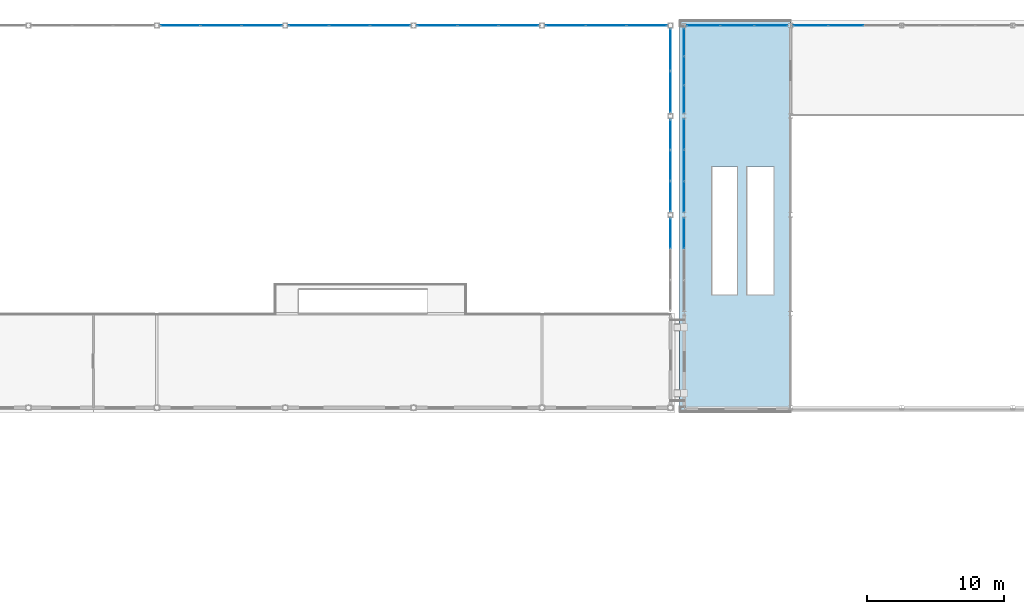
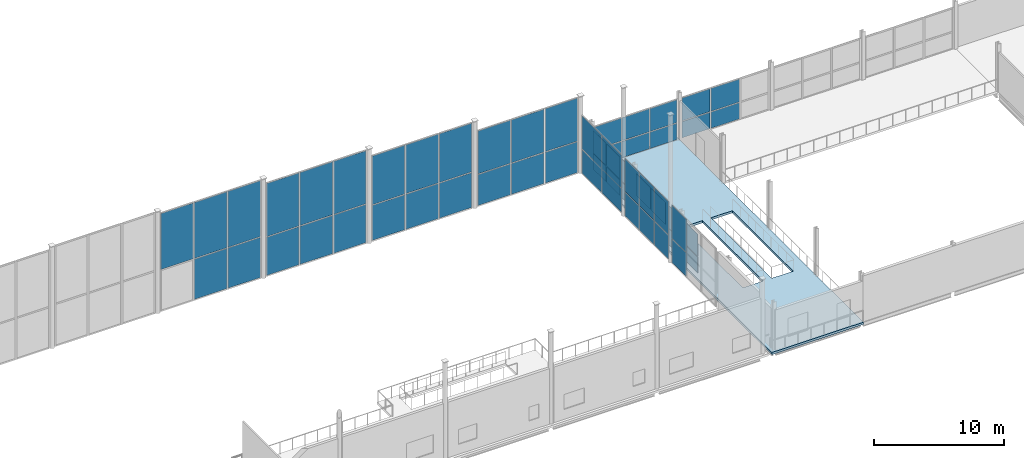
# One storey, part 57 of 77: 59 plates, 1 slab, 12 elements without a shape of their own.
"""IFC4 building model written with IfcOpenShell, lengths in metres."""

from ifc_helpers import new_model, si_unit, direction, frame, origin, origin_2d, place, context, subcontext, project, spatial, polyline, rectangle, outline, extrude, material, layer, layer_set, type_object, element, aggregate, save


model = new_model("IFC4")

# Units and contexts
model_context = context("Model", 3, precision=1e-05, world=origin(), true_north=direction((0.0, 1.0)))
body_context = subcontext(model_context, "Body", "Model", "MODEL_VIEW")
ifc_project = project(units=[si_unit("LENGTHUNIT", "METRE"), si_unit("AREAUNIT", "SQUARE_METRE"), si_unit("VOLUMEUNIT", "CUBIC_METRE"), si_unit("PLANEANGLEUNIT", "RADIAN"), si_unit("MASSUNIT", "GRAM", prefix="KILO")], contexts=[model_context])

# Site, building, storey
site_placement = place(None, origin())
site = spatial("IfcSite", under=ifc_project, at=site_placement, CompositionType="ELEMENT")
building_placement = place(site_placement, origin())
building = spatial("IfcBuilding", under=site, at=building_placement, Name="Quillay Park Conservatory", CompositionType="ELEMENT")
storey_placement = place(building_placement, frame((0.0, 0.0, 5.39990234375)))
storey = spatial("IfcBuildingStorey", under=building, at=storey_placement, Name="L01", CompositionType="ELEMENT", Elevation=5.39990234375)

# Curtain wall, plates
ifc_material_1 = material(Name="Thermally Broken Anodised Aluminium 6063-T6", Category="aluminium")
ifc_layer_1 = layer(ifc_material_1, 0.1650390625)
ifc_layer_set_1 = layer_set([ifc_layer_1], Name="UNITISED CURTAIN WALL PODIUM (Thermally Broken Anodised Aluminium 6063-T6)")
curtain_wall_type_1 = type_object("IfcCurtainWallType", Name="UNITISED CURTAIN WALL PODIUM", PredefinedType="USERDEFINED", material=ifc_layer_set_1)
curtain_wall_1_placement = place(storey_placement, origin())
curtain_wall_1 = element("IfcCurtainWall", 1, at=curtain_wall_1_placement, inside=storey, type_object=curtain_wall_type_1, Name="L01 Unitised Curtain Wall 219", ObjectType="UNITISED CURTAIN WALL", PredefinedType="USERDEFINED")
ifc_material_2 = material(Name="Low-E Double Glazing (Laminated Tempered)", Category="glass")
ifc_layer_2 = layer(ifc_material_2, 0.028076171875)
ifc_layer_set_2 = layer_set([ifc_layer_2], Name="CURTAIN WALL GLAZED PANEL 28 (Low-E Double Glazing (Laminated Tempered))")
plate_type_1 = type_object("IfcPlateType", Name="CURTAIN WALL GLAZED PANEL 28", PredefinedType="CURTAIN_PANEL", material=ifc_layer_set_2)
plate_1_placement = place(storey_placement, frame((117.265869140625, 113.39990234375, 0.070068359375), z_axis=(0.0, 0.0, 1.0), x_axis=(1.0, 0.0, 0.0)))
plate_1 = element("IfcPlate", 2, at=plate_1_placement, type_object=plate_type_1, Name="CW-P1 panel 1.1", PredefinedType="CURTAIN_PANEL", context=body_context, shape_type="SweptSolid", body=[
    extrude(rectangle(XDim=2.37158203125, YDim=0.028076171875, at=origin_2d()), origin(), (0.0, 0.0, 1.0), 1.52001953125),
])
plate_2_placement = place(storey_placement, frame((117.265869140625, 113.39990234375, 1.66015625), z_axis=(0.0, 0.0, 1.0), x_axis=(1.0, 0.0, 0.0)))
plate_2 = element("IfcPlate", 3, at=plate_2_placement, type_object=plate_type_1, Name="CW-P1 panel 1.2", PredefinedType="CURTAIN_PANEL", context=body_context, shape_type="SweptSolid", body=[
    extrude(rectangle(XDim=2.37158203125, YDim=0.028076171875, at=origin_2d()), origin(), (0.0, 0.0, 1.0), 2.138916015625),
])
plate_3_placement = place(storey_placement, frame((119.72509765625, 113.39990234375, 0.070068359375), z_axis=(0.0, 0.0, 1.0), x_axis=(1.0, 0.0, 0.0)))
plate_3 = element("IfcPlate", 4, at=plate_3_placement, type_object=plate_type_1, Name="CW-P1 panel 2.1", PredefinedType="CURTAIN_PANEL", context=body_context, shape_type="SweptSolid", body=[
    extrude(rectangle(XDim=2.40673828125, YDim=0.028076171875, at=origin_2d()), origin(), (0.0, 0.0, 1.0), 1.52001953125),
])
plate_4_placement = place(storey_placement, frame((119.72509765625, 113.39990234375, 1.66015625), z_axis=(0.0, 0.0, 1.0), x_axis=(1.0, 0.0, 0.0)))
plate_4 = element("IfcPlate", 5, at=plate_4_placement, type_object=plate_type_1, Name="CW-P1 panel 2.2", PredefinedType="CURTAIN_PANEL", context=body_context, shape_type="SweptSolid", body=[
    extrude(rectangle(XDim=2.40673828125, YDim=0.028076171875, at=origin_2d()), origin(), (0.0, 0.0, 1.0), 2.138916015625),
])
plate_5_placement = place(storey_placement, frame((122.18408203125, 113.39990234375, 0.070068359375), z_axis=(0.0, 0.0, 1.0), x_axis=(1.0, 0.0, 0.0)))
plate_5 = element("IfcPlate", 6, at=plate_5_placement, type_object=plate_type_1, Name="CW-P1 panel 3.1", PredefinedType="CURTAIN_PANEL", context=body_context, shape_type="SweptSolid", body=[
    extrude(rectangle(XDim=2.37158203125, YDim=0.028076171875, at=origin_2d()), origin(), (0.0, 0.0, 1.0), 1.52001953125),
])
plate_6_placement = place(storey_placement, frame((122.18408203125, 113.39990234375, 1.66015625), z_axis=(0.0, 0.0, 1.0), x_axis=(1.0, 0.0, 0.0)))
plate_6 = element("IfcPlate", 7, at=plate_6_placement, type_object=plate_type_1, Name="CW-P1 panel 3.2", PredefinedType="CURTAIN_PANEL", context=body_context, shape_type="SweptSolid", body=[
    extrude(rectangle(XDim=2.37158203125, YDim=0.028076171875, at=origin_2d()), origin(), (0.0, 0.0, 1.0), 2.138916015625),
])
aggregate(curtain_wall_1, [plate_1, plate_2, plate_3, plate_4, plate_5, plate_6])

curtain_wall_2_placement = place(storey_placement, origin())
curtain_wall_2 = element("IfcCurtainWall", 8, at=curtain_wall_2_placement, inside=storey, type_object=curtain_wall_type_1, Name="L01 Unitised Curtain Wall 220", ObjectType="UNITISED CURTAIN WALL", PredefinedType="USERDEFINED")
plate_7_placement = place(storey_placement, frame((125.07421875, 113.39990234375, 0.070068359375), z_axis=(0.0, 0.0, 1.0), x_axis=(1.0, 0.0, 0.0)))
plate_7 = element("IfcPlate", 9, at=plate_7_placement, type_object=plate_type_1, Name="CW-P1 panel 1.1", PredefinedType="CURTAIN_PANEL", context=body_context, shape_type="SweptSolid", body=[
    extrude(rectangle(XDim=2.48828125, YDim=0.028076171875, at=origin_2d()), origin(), (0.0, 0.0, 1.0), 1.52001953125),
])
plate_8_placement = place(storey_placement, frame((125.07421875, 113.39990234375, 1.66015625), z_axis=(0.0, 0.0, 1.0), x_axis=(1.0, 0.0, 0.0)))
plate_8 = element("IfcPlate", 10, at=plate_8_placement, type_object=plate_type_1, Name="CW-P1 panel 1.2", PredefinedType="CURTAIN_PANEL", context=body_context, shape_type="SweptSolid", body=[
    extrude(rectangle(XDim=2.48828125, YDim=0.028076171875, at=origin_2d()), origin(), (0.0, 0.0, 1.0), 2.138916015625),
])
plate_9_placement = place(storey_placement, frame((127.64990234375, 113.39990234375, 0.070068359375), z_axis=(0.0, 0.0, 1.0), x_axis=(1.0, 0.0, 0.0)))
plate_9 = element("IfcPlate", 11, at=plate_9_placement, type_object=plate_type_1, Name="CW-P1 panel 2.1", PredefinedType="CURTAIN_PANEL", context=body_context, shape_type="SweptSolid", body=[
    extrude(rectangle(XDim=2.5234375, YDim=0.028076171875, at=origin_2d()), origin(), (0.0, 0.0, 1.0), 1.52001953125),
])
plate_10_placement = place(storey_placement, frame((127.64990234375, 113.39990234375, 1.66015625), z_axis=(0.0, 0.0, 1.0), x_axis=(1.0, 0.0, 0.0)))
plate_10 = element("IfcPlate", 12, at=plate_10_placement, type_object=plate_type_1, Name="CW-P1 panel 2.2", PredefinedType="CURTAIN_PANEL", context=body_context, shape_type="SweptSolid", body=[
    extrude(rectangle(XDim=2.5234375, YDim=0.028076171875, at=origin_2d()), origin(), (0.0, 0.0, 1.0), 2.138916015625),
])
aggregate(curtain_wall_2, [plate_7, plate_8, plate_9, plate_10])

curtain_wall_3_placement = place(storey_placement, origin())
curtain_wall_3 = element("IfcCurtainWall", 13, at=curtain_wall_3_placement, inside=storey, type_object=curtain_wall_type_1, Name="L01 Unitised Curtain Wall 224", ObjectType="UNITISED CURTAIN WALL", PredefinedType="USERDEFINED")
plate_11_placement = place(storey_placement, frame((115.85009765625, 98.27587890625, 0.0703125), z_axis=(0.0, 0.0, 1.0), x_axis=(0.0, 1.0, 0.0)))
plate_11 = element("IfcPlate", 14, at=plate_11_placement, type_object=plate_type_1, Name="CW-P1 panel 3.1", PredefinedType="CURTAIN_PANEL", context=body_context, shape_type="SweptSolid", body=[
    extrude(rectangle(XDim=2.188232421875, YDim=0.028076171875, at=origin_2d()), origin(), (0.0, 0.0, 1.0), 1.469482421875),
])
plate_12_placement = place(storey_placement, frame((115.85009765625, 98.27587890625, 1.609619140625), z_axis=(0.0, 0.0, 1.0), x_axis=(0.0, 1.0, 0.0)))
plate_12 = element("IfcPlate", 15, at=plate_12_placement, type_object=plate_type_1, Name="CW-P1 panel 3.2", PredefinedType="CURTAIN_PANEL", context=body_context, shape_type="SweptSolid", body=[
    extrude(rectangle(XDim=2.188232421875, YDim=0.028076171875, at=origin_2d()), origin(), (0.0, 0.0, 1.0), 2.0693359375),
])
aggregate(curtain_wall_3, [plate_11, plate_12])

curtain_wall_4_placement = place(storey_placement, origin())
curtain_wall_4 = element("IfcCurtainWall", 16, at=curtain_wall_4_placement, inside=storey, type_object=curtain_wall_type_1, Name="L01 Unitised Curtain Wall 226", ObjectType="UNITISED CURTAIN WALL", PredefinedType="USERDEFINED")
plate_13_placement = place(storey_placement, frame((115.85009765625, 100.924072265625, 0.0703125), z_axis=(0.0, 0.0, 1.0), x_axis=(0.0, 1.0, 0.0)))
plate_13 = element("IfcPlate", 17, at=plate_13_placement, type_object=plate_type_1, Name="CW-P1 panel 1.1", PredefinedType="CURTAIN_PANEL", context=body_context, shape_type="SweptSolid", body=[
    extrude(rectangle(XDim=2.188232421875, YDim=0.028076171875, at=origin_2d()), origin(), (0.0, 0.0, 1.0), 1.469482421875),
])
plate_14_placement = place(storey_placement, frame((115.85009765625, 100.924072265625, 1.609619140625), z_axis=(0.0, 0.0, 1.0), x_axis=(0.0, 1.0, 0.0)))
plate_14 = element("IfcPlate", 18, at=plate_14_placement, type_object=plate_type_1, Name="CW-P1 panel 1.2", PredefinedType="CURTAIN_PANEL", context=body_context, shape_type="SweptSolid", body=[
    extrude(rectangle(XDim=2.188232421875, YDim=0.028076171875, at=origin_2d()), origin(), (0.0, 0.0, 1.0), 2.0693359375),
])
plate_15_placement = place(storey_placement, frame((115.85009765625, 103.199951171875, 0.0703125), z_axis=(0.0, 0.0, 1.0), x_axis=(0.0, 1.0, 0.0)))
plate_15 = element("IfcPlate", 19, at=plate_15_placement, type_object=plate_type_1, Name="CW-P1 panel 2.1", PredefinedType="CURTAIN_PANEL", context=body_context, shape_type="SweptSolid", body=[
    extrude(rectangle(XDim=2.223388671875, YDim=0.028076171875, at=origin_2d()), origin(), (0.0, 0.0, 1.0), 1.469482421875),
])
plate_16_placement = place(storey_placement, frame((115.85009765625, 103.199951171875, 1.609619140625), z_axis=(0.0, 0.0, 1.0), x_axis=(0.0, 1.0, 0.0)))
plate_16 = element("IfcPlate", 20, at=plate_16_placement, type_object=plate_type_1, Name="CW-P1 panel 2.2", PredefinedType="CURTAIN_PANEL", context=body_context, shape_type="SweptSolid", body=[
    extrude(rectangle(XDim=2.223388671875, YDim=0.028076171875, at=origin_2d()), origin(), (0.0, 0.0, 1.0), 2.0693359375),
])
plate_17_placement = place(storey_placement, frame((115.85009765625, 105.475830078125, 0.0703125), z_axis=(0.0, 0.0, 1.0), x_axis=(0.0, 1.0, 0.0)))
plate_17 = element("IfcPlate", 21, at=plate_17_placement, type_object=plate_type_1, Name="CW-P1 panel 3.1", PredefinedType="CURTAIN_PANEL", context=body_context, shape_type="SweptSolid", body=[
    extrude(rectangle(XDim=2.188232421875, YDim=0.028076171875, at=origin_2d()), origin(), (0.0, 0.0, 1.0), 1.469482421875),
])
plate_18_placement = place(storey_placement, frame((115.85009765625, 105.475830078125, 1.609619140625), z_axis=(0.0, 0.0, 1.0), x_axis=(0.0, 1.0, 0.0)))
plate_18 = element("IfcPlate", 22, at=plate_18_placement, type_object=plate_type_1, Name="CW-P1 panel 3.2", PredefinedType="CURTAIN_PANEL", context=body_context, shape_type="SweptSolid", body=[
    extrude(rectangle(XDim=2.188232421875, YDim=0.028076171875, at=origin_2d()), origin(), (0.0, 0.0, 1.0), 2.0693359375),
])
aggregate(curtain_wall_4, [plate_13, plate_14, plate_15, plate_16, plate_17, plate_18])

curtain_wall_5_placement = place(storey_placement, origin())
curtain_wall_5 = element("IfcCurtainWall", 23, at=curtain_wall_5_placement, inside=storey, type_object=curtain_wall_type_1, Name="L01 Unitised Curtain Wall 228", ObjectType="UNITISED CURTAIN WALL", PredefinedType="USERDEFINED")
plate_19_placement = place(storey_placement, frame((115.85009765625, 108.024169921875, 0.0703125), z_axis=(0.0, 0.0, 1.0), x_axis=(0.0, 1.0, 0.0)))
plate_19 = element("IfcPlate", 24, at=plate_19_placement, type_object=plate_type_1, Name="CW-P1 panel 1.1", PredefinedType="CURTAIN_PANEL", context=body_context, shape_type="SweptSolid", body=[
    extrude(rectangle(XDim=1.98828125, YDim=0.028076171875, at=origin_2d()), origin(), (0.0, 0.0, 1.0), 1.469482421875),
])
plate_20_placement = place(storey_placement, frame((115.85009765625, 108.024169921875, 1.609619140625), z_axis=(0.0, 0.0, 1.0), x_axis=(0.0, 1.0, 0.0)))
plate_20 = element("IfcPlate", 25, at=plate_20_placement, type_object=plate_type_1, Name="CW-P1 panel 1.2", PredefinedType="CURTAIN_PANEL", context=body_context, shape_type="SweptSolid", body=[
    extrude(rectangle(XDim=1.98828125, YDim=0.028076171875, at=origin_2d()), origin(), (0.0, 0.0, 1.0), 2.0693359375),
])
plate_21_placement = place(storey_placement, frame((115.85009765625, 110.10009765625, 0.0703125), z_axis=(0.0, 0.0, 1.0), x_axis=(0.0, 1.0, 0.0)))
plate_21 = element("IfcPlate", 26, at=plate_21_placement, type_object=plate_type_1, Name="CW-P1 panel 2.1", PredefinedType="CURTAIN_PANEL", context=body_context, shape_type="SweptSolid", body=[
    extrude(rectangle(XDim=2.0234375, YDim=0.028076171875, at=origin_2d()), origin(), (0.0, 0.0, 1.0), 1.469482421875),
])
plate_22_placement = place(storey_placement, frame((115.85009765625, 110.10009765625, 1.609619140625), z_axis=(0.0, 0.0, 1.0), x_axis=(0.0, 1.0, 0.0)))
plate_22 = element("IfcPlate", 27, at=plate_22_placement, type_object=plate_type_1, Name="CW-P1 panel 2.2", PredefinedType="CURTAIN_PANEL", context=body_context, shape_type="SweptSolid", body=[
    extrude(rectangle(XDim=2.0234375, YDim=0.028076171875, at=origin_2d()), origin(), (0.0, 0.0, 1.0), 2.0693359375),
])
plate_23_placement = place(storey_placement, frame((115.85009765625, 112.17578125, 0.0703125), z_axis=(0.0, 0.0, 1.0), x_axis=(0.0, 1.0, 0.0)))
plate_23 = element("IfcPlate", 28, at=plate_23_placement, type_object=plate_type_1, Name="CW-P1 panel 3.1", PredefinedType="CURTAIN_PANEL", context=body_context, shape_type="SweptSolid", body=[
    extrude(rectangle(XDim=1.98828125, YDim=0.028076171875, at=origin_2d()), origin(), (0.0, 0.0, 1.0), 1.469482421875),
])
plate_24_placement = place(storey_placement, frame((115.85009765625, 112.17578125, 1.609619140625), z_axis=(0.0, 0.0, 1.0), x_axis=(0.0, 1.0, 0.0)))
plate_24 = element("IfcPlate", 29, at=plate_24_placement, type_object=plate_type_1, Name="CW-P1 panel 3.2", PredefinedType="CURTAIN_PANEL", context=body_context, shape_type="SweptSolid", body=[
    extrude(rectangle(XDim=1.98828125, YDim=0.028076171875, at=origin_2d()), origin(), (0.0, 0.0, 1.0), 2.0693359375),
])
aggregate(curtain_wall_5, [plate_19, plate_20, plate_21, plate_22, plate_23, plate_24])

ifc_material_3 = material(Name="Thermally Broken Anodised Aluminium 6063-T6", Category="aluminium")
ifc_layer_3 = layer(ifc_material_3, 0.219970703125)
ifc_layer_set_3 = layer_set([ifc_layer_3], Name="UNITISED CURTAIN WALL CONSERVATORY (Thermally Broken Anodised Aluminium 6063-T6)")
curtain_wall_type_2 = type_object("IfcCurtainWallType", Name="UNITISED CURTAIN WALL CONSERVATORY", PredefinedType="USERDEFINED", material=ifc_layer_set_3)
curtain_wall_6_placement = place(storey_placement, origin())
curtain_wall_6 = element("IfcCurtainWall", 30, at=curtain_wall_6_placement, inside=storey, type_object=curtain_wall_type_2, Name="L01 Unitised Curtain Wall 156", ObjectType="UNITISED CURTAIN WALL", PredefinedType="USERDEFINED")
ifc_material_4 = material(Name="Low-Iron Laminated Insulated Glazing", Category="glass")
ifc_layer_4 = layer(ifc_material_4, 0.031982421875)
ifc_layer_set_4 = layer_set([ifc_layer_4], Name="CURTAIN WALL GLAZED PANEL 32 (Low-Iron Laminated Insulated Glazing)")
plate_type_2 = type_object("IfcPlateType", Name="CURTAIN WALL GLAZED PANEL 32", PredefinedType="CURTAIN_PANEL", material=ifc_layer_set_4)
plate_25_placement = place(storey_placement, frame((79.13916015625, 113.39990234375, 3.89990234375), z_axis=(0.0, 0.0, 1.0), x_axis=(1.0, 0.0, 0.0)))
plate_25 = element("IfcPlate", 31, at=plate_25_placement, type_object=plate_type_2, Name="CW-C1 panel 1.2", PredefinedType="CURTAIN_PANEL", context=body_context, shape_type="SweptSolid", body=[
    extrude(rectangle(XDim=2.87890625, YDim=0.031982421875, at=origin_2d()), origin(), (0.0, 0.0, 1.0), 5.232177734375),
])
plate_26_placement = place(storey_placement, frame((82.10546875, 113.39990234375, 0.070068359375), z_axis=(0.0, 0.0, 1.0), x_axis=(1.0, 0.0, 0.0)))
plate_26 = element("IfcPlate", 32, at=plate_26_placement, type_object=plate_type_2, Name="CW-C1 panel 2.1", PredefinedType="CURTAIN_PANEL", context=body_context, shape_type="SweptSolid", body=[
    extrude(rectangle(XDim=2.913818359375, YDim=0.031982421875, at=origin_2d()), origin(), (0.0, 0.0, 1.0), 3.759765625),
])
plate_27_placement = place(storey_placement, frame((82.10546875, 113.39990234375, 3.89990234375), z_axis=(0.0, 0.0, 1.0), x_axis=(1.0, 0.0, 0.0)))
plate_27 = element("IfcPlate", 33, at=plate_27_placement, type_object=plate_type_2, Name="CW-C1 panel 2.2", PredefinedType="CURTAIN_PANEL", context=body_context, shape_type="SweptSolid", body=[
    extrude(rectangle(XDim=2.913818359375, YDim=0.031982421875, at=origin_2d()), origin(), (0.0, 0.0, 1.0), 5.232177734375),
])
plate_28_placement = place(storey_placement, frame((85.07177734375, 113.39990234375, 0.070068359375), z_axis=(0.0, 0.0, 1.0), x_axis=(1.0, 0.0, 0.0)))
plate_28 = element("IfcPlate", 34, at=plate_28_placement, type_object=plate_type_2, Name="CW-C1 panel 3.1", PredefinedType="CURTAIN_PANEL", context=body_context, shape_type="SweptSolid", body=[
    extrude(rectangle(XDim=2.87890625, YDim=0.031982421875, at=origin_2d()), origin(), (0.0, 0.0, 1.0), 3.759765625),
])
plate_29_placement = place(storey_placement, frame((85.07177734375, 113.39990234375, 3.89990234375), z_axis=(0.0, 0.0, 1.0), x_axis=(1.0, 0.0, 0.0)))
plate_29 = element("IfcPlate", 35, at=plate_29_placement, type_object=plate_type_2, Name="CW-C1 panel 3.2", PredefinedType="CURTAIN_PANEL", context=body_context, shape_type="SweptSolid", body=[
    extrude(rectangle(XDim=2.87890625, YDim=0.031982421875, at=origin_2d()), origin(), (0.0, 0.0, 1.0), 5.232177734375),
])
aggregate(curtain_wall_6, [plate_25, plate_26, plate_27, plate_28, plate_29])

curtain_wall_7_placement = place(storey_placement, origin())
curtain_wall_7 = element("IfcCurtainWall", 36, at=curtain_wall_7_placement, inside=storey, type_object=curtain_wall_type_2, Name="L01 Unitised Curtain Wall 158", ObjectType="UNITISED CURTAIN WALL", PredefinedType="USERDEFINED")
plate_30_placement = place(storey_placement, frame((88.49462890625, 113.39990234375, 0.06982421875), z_axis=(0.0, 0.0, 1.0), x_axis=(1.0, 0.0, 0.0)))
plate_30 = element("IfcPlate", 37, at=plate_30_placement, type_object=plate_type_2, Name="CW-C1 panel 1.1", PredefinedType="CURTAIN_PANEL", context=body_context, shape_type="SweptSolid", body=[
    extrude(rectangle(XDim=2.87890625, YDim=0.031982421875, at=origin_2d()), origin(), (0.0, 0.0, 1.0), 3.564697265625),
])
plate_31_placement = place(storey_placement, frame((88.49462890625, 113.39990234375, 3.70458984375), z_axis=(0.0, 0.0, 1.0), x_axis=(1.0, 0.0, 0.0)))
plate_31 = element("IfcPlate", 38, at=plate_31_placement, type_object=plate_type_2, Name="CW-C1 panel 1.2", PredefinedType="CURTAIN_PANEL", context=body_context, shape_type="SweptSolid", body=[
    extrude(rectangle(XDim=2.87890625, YDim=0.031982421875, at=origin_2d()), origin(), (0.0, 0.0, 1.0), 4.96240234375),
])
plate_32_placement = place(storey_placement, frame((91.461181640625, 113.39990234375, 0.06982421875), z_axis=(0.0, 0.0, 1.0), x_axis=(1.0, 0.0, 0.0)))
plate_32 = element("IfcPlate", 39, at=plate_32_placement, type_object=plate_type_2, Name="CW-C1 panel 2.1", PredefinedType="CURTAIN_PANEL", context=body_context, shape_type="SweptSolid", body=[
    extrude(rectangle(XDim=2.913818359375, YDim=0.031982421875, at=origin_2d()), origin(), (0.0, 0.0, 1.0), 3.564697265625),
])
plate_33_placement = place(storey_placement, frame((91.461181640625, 113.39990234375, 3.70458984375), z_axis=(0.0, 0.0, 1.0), x_axis=(1.0, 0.0, 0.0)))
plate_33 = element("IfcPlate", 40, at=plate_33_placement, type_object=plate_type_2, Name="CW-C1 panel 2.2", PredefinedType="CURTAIN_PANEL", context=body_context, shape_type="SweptSolid", body=[
    extrude(rectangle(XDim=2.913818359375, YDim=0.031982421875, at=origin_2d()), origin(), (0.0, 0.0, 1.0), 4.96240234375),
])
plate_34_placement = place(storey_placement, frame((94.427490234375, 113.39990234375, 0.06982421875), z_axis=(0.0, 0.0, 1.0), x_axis=(1.0, 0.0, 0.0)))
plate_34 = element("IfcPlate", 41, at=plate_34_placement, type_object=plate_type_2, Name="CW-C1 panel 3.1", PredefinedType="CURTAIN_PANEL", context=body_context, shape_type="SweptSolid", body=[
    extrude(rectangle(XDim=2.87890625, YDim=0.031982421875, at=origin_2d()), origin(), (0.0, 0.0, 1.0), 3.564697265625),
])
plate_35_placement = place(storey_placement, frame((94.427490234375, 113.39990234375, 3.70458984375), z_axis=(0.0, 0.0, 1.0), x_axis=(1.0, 0.0, 0.0)))
plate_35 = element("IfcPlate", 42, at=plate_35_placement, type_object=plate_type_2, Name="CW-C1 panel 3.2", PredefinedType="CURTAIN_PANEL", context=body_context, shape_type="SweptSolid", body=[
    extrude(rectangle(XDim=2.87890625, YDim=0.031982421875, at=origin_2d()), origin(), (0.0, 0.0, 1.0), 4.96240234375),
])
aggregate(curtain_wall_7, [plate_30, plate_31, plate_32, plate_33, plate_34, plate_35])

curtain_wall_8_placement = place(storey_placement, origin())
curtain_wall_8 = element("IfcCurtainWall", 43, at=curtain_wall_8_placement, inside=storey, type_object=curtain_wall_type_2, Name="L01 Unitised Curtain Wall 160", ObjectType="UNITISED CURTAIN WALL", PredefinedType="USERDEFINED")
plate_36_placement = place(storey_placement, frame((97.850341796875, 113.39990234375, 0.070068359375), z_axis=(0.0, 0.0, 1.0), x_axis=(1.0, 0.0, 0.0)))
plate_36 = element("IfcPlate", 44, at=plate_36_placement, type_object=plate_type_2, Name="CW-C1 panel 1.1", PredefinedType="CURTAIN_PANEL", context=body_context, shape_type="SweptSolid", body=[
    extrude(rectangle(XDim=2.87890625, YDim=0.031982421875, at=origin_2d()), origin(), (0.0, 0.0, 1.0), 3.27099609375),
])
plate_37_placement = place(storey_placement, frame((97.850341796875, 113.39990234375, 3.4111328125), z_axis=(0.0, 0.0, 1.0), x_axis=(1.0, 0.0, 0.0)))
plate_37 = element("IfcPlate", 45, at=plate_37_placement, type_object=plate_type_2, Name="CW-C1 panel 1.2", PredefinedType="CURTAIN_PANEL", context=body_context, shape_type="SweptSolid", body=[
    extrude(rectangle(XDim=2.87890625, YDim=0.031982421875, at=origin_2d()), origin(), (0.0, 0.0, 1.0), 4.556884765625),
])
plate_38_placement = place(storey_placement, frame((100.816650390625, 113.39990234375, 0.070068359375), z_axis=(0.0, 0.0, 1.0), x_axis=(1.0, 0.0, 0.0)))
plate_38 = element("IfcPlate", 46, at=plate_38_placement, type_object=plate_type_2, Name="CW-C1 panel 2.1", PredefinedType="CURTAIN_PANEL", context=body_context, shape_type="SweptSolid", body=[
    extrude(rectangle(XDim=2.913818359375, YDim=0.031982421875, at=origin_2d()), origin(), (0.0, 0.0, 1.0), 3.27099609375),
])
plate_39_placement = place(storey_placement, frame((100.816650390625, 113.39990234375, 3.4111328125), z_axis=(0.0, 0.0, 1.0), x_axis=(1.0, 0.0, 0.0)))
plate_39 = element("IfcPlate", 47, at=plate_39_placement, type_object=plate_type_2, Name="CW-C1 panel 2.2", PredefinedType="CURTAIN_PANEL", context=body_context, shape_type="SweptSolid", body=[
    extrude(rectangle(XDim=2.913818359375, YDim=0.031982421875, at=origin_2d()), origin(), (0.0, 0.0, 1.0), 4.556884765625),
])
plate_40_placement = place(storey_placement, frame((103.782958984375, 113.39990234375, 0.070068359375), z_axis=(0.0, 0.0, 1.0), x_axis=(1.0, 0.0, 0.0)))
plate_40 = element("IfcPlate", 48, at=plate_40_placement, type_object=plate_type_2, Name="CW-C1 panel 3.1", PredefinedType="CURTAIN_PANEL", context=body_context, shape_type="SweptSolid", body=[
    extrude(rectangle(XDim=2.87890625, YDim=0.031982421875, at=origin_2d()), origin(), (0.0, 0.0, 1.0), 3.27099609375),
])
plate_41_placement = place(storey_placement, frame((103.782958984375, 113.39990234375, 3.4111328125), z_axis=(0.0, 0.0, 1.0), x_axis=(1.0, 0.0, 0.0)))
plate_41 = element("IfcPlate", 49, at=plate_41_placement, type_object=plate_type_2, Name="CW-C1 panel 3.2", PredefinedType="CURTAIN_PANEL", context=body_context, shape_type="SweptSolid", body=[
    extrude(rectangle(XDim=2.87890625, YDim=0.031982421875, at=origin_2d()), origin(), (0.0, 0.0, 1.0), 4.556884765625),
])
aggregate(curtain_wall_8, [plate_36, plate_37, plate_38, plate_39, plate_40, plate_41])

curtain_wall_9_placement = place(storey_placement, origin())
curtain_wall_9 = element("IfcCurtainWall", 50, at=curtain_wall_9_placement, inside=storey, type_object=curtain_wall_type_2, Name="L01 Unitised Curtain Wall 162", ObjectType="UNITISED CURTAIN WALL", PredefinedType="USERDEFINED")
plate_42_placement = place(storey_placement, frame((107.205810546875, 113.39990234375, 0.070068359375), z_axis=(0.0, 0.0, 1.0), x_axis=(1.0, 0.0, 0.0)))
plate_42 = element("IfcPlate", 51, at=plate_42_placement, type_object=plate_type_2, Name="CW-C1 panel 1.1", PredefinedType="CURTAIN_PANEL", context=body_context, shape_type="SweptSolid", body=[
    extrude(rectangle(XDim=2.87890625, YDim=0.031982421875, at=origin_2d()), origin(), (0.0, 0.0, 1.0), 2.87890625),
])
plate_43_placement = place(storey_placement, frame((107.205810546875, 113.39990234375, 3.01904296875), z_axis=(0.0, 0.0, 1.0), x_axis=(1.0, 0.0, 0.0)))
plate_43 = element("IfcPlate", 52, at=plate_43_placement, type_object=plate_type_2, Name="CW-C1 panel 1.2", PredefinedType="CURTAIN_PANEL", context=body_context, shape_type="SweptSolid", body=[
    extrude(rectangle(XDim=2.87890625, YDim=0.031982421875, at=origin_2d()), origin(), (0.0, 0.0, 1.0), 4.015380859375),
])
plate_44_placement = place(storey_placement, frame((110.172119140625, 113.39990234375, 0.070068359375), z_axis=(0.0, 0.0, 1.0), x_axis=(1.0, 0.0, 0.0)))
plate_44 = element("IfcPlate", 53, at=plate_44_placement, type_object=plate_type_2, Name="CW-C1 panel 2.1", PredefinedType="CURTAIN_PANEL", context=body_context, shape_type="SweptSolid", body=[
    extrude(rectangle(XDim=2.913818359375, YDim=0.031982421875, at=origin_2d()), origin(), (0.0, 0.0, 1.0), 2.87890625),
])
plate_45_placement = place(storey_placement, frame((110.172119140625, 113.39990234375, 3.01904296875), z_axis=(0.0, 0.0, 1.0), x_axis=(1.0, 0.0, 0.0)))
plate_45 = element("IfcPlate", 54, at=plate_45_placement, type_object=plate_type_2, Name="CW-C1 panel 2.2", PredefinedType="CURTAIN_PANEL", context=body_context, shape_type="SweptSolid", body=[
    extrude(rectangle(XDim=2.913818359375, YDim=0.031982421875, at=origin_2d()), origin(), (0.0, 0.0, 1.0), 4.015380859375),
])
plate_46_placement = place(storey_placement, frame((113.138671875, 113.39990234375, 0.070068359375), z_axis=(0.0, 0.0, 1.0), x_axis=(1.0, 0.0, 0.0)))
plate_46 = element("IfcPlate", 55, at=plate_46_placement, type_object=plate_type_2, Name="CW-C1 panel 3.1", PredefinedType="CURTAIN_PANEL", context=body_context, shape_type="SweptSolid", body=[
    extrude(rectangle(XDim=2.87890625, YDim=0.031982421875, at=origin_2d()), origin(), (0.0, 0.0, 1.0), 2.87890625),
])
plate_47_placement = place(storey_placement, frame((113.138671875, 113.39990234375, 3.01904296875), z_axis=(0.0, 0.0, 1.0), x_axis=(1.0, 0.0, 0.0)))
plate_47 = element("IfcPlate", 56, at=plate_47_placement, type_object=plate_type_2, Name="CW-C1 panel 3.2", PredefinedType="CURTAIN_PANEL", context=body_context, shape_type="SweptSolid", body=[
    extrude(rectangle(XDim=2.87890625, YDim=0.031982421875, at=origin_2d()), origin(), (0.0, 0.0, 1.0), 4.015380859375),
])
aggregate(curtain_wall_9, [plate_42, plate_43, plate_44, plate_45, plate_46, plate_47])

curtain_wall_10_placement = place(storey_placement, origin())
curtain_wall_10 = element("IfcCurtainWall", 57, at=curtain_wall_10_placement, inside=storey, type_object=curtain_wall_type_2, Name="L01 Unitised Curtain Wall 166", ObjectType="UNITISED CURTAIN WALL", PredefinedType="USERDEFINED")
plate_48_placement = place(storey_placement, frame((114.85009765625, 98.247802734375, 0.070068359375), z_axis=(0.0, 0.0, 1.0), x_axis=(0.0, -1.0, 0.0)))
plate_48 = element("IfcPlate", 58, at=plate_48_placement, type_object=plate_type_2, Name="CW-C1 panel 1.1", PredefinedType="CURTAIN_PANEL", context=body_context, shape_type="SweptSolid", body=[
    extrude(rectangle(XDim=2.160400390625, YDim=0.031982421875, at=origin_2d()), origin(), (0.0, 0.0, 1.0), 2.205078125),
])
plate_49_placement = place(storey_placement, frame((114.85009765625, 98.247802734375, 2.34521484375), z_axis=(0.0, 0.0, 1.0), x_axis=(0.0, -1.0, 0.0)))
plate_49 = element("IfcPlate", 59, at=plate_49_placement, type_object=plate_type_2, Name="CW-C1 panel 1.2", PredefinedType="CURTAIN_PANEL", context=body_context, shape_type="SweptSolid", body=[
    extrude(rectangle(XDim=2.160400390625, YDim=0.031982421875, at=origin_2d()), origin(), (0.0, 0.0, 1.0), 3.0849609375),
])
aggregate(curtain_wall_10, [plate_48, plate_49])

curtain_wall_11_placement = place(storey_placement, origin())
curtain_wall_11 = element("IfcCurtainWall", 60, at=curtain_wall_11_placement, inside=storey, type_object=curtain_wall_type_2, Name="L01 Unitised Curtain Wall 170", ObjectType="UNITISED CURTAIN WALL", PredefinedType="USERDEFINED")
plate_50_placement = place(storey_placement, frame((114.85009765625, 105.44775390625, 0.070068359375), z_axis=(0.0, 0.0, 1.0), x_axis=(0.0, -1.0, 0.0)))
plate_50 = element("IfcPlate", 61, at=plate_50_placement, type_object=plate_type_2, Name="CW-C1 panel 1.1", PredefinedType="CURTAIN_PANEL", context=body_context, shape_type="SweptSolid", body=[
    extrude(rectangle(XDim=2.160400390625, YDim=0.031982421875, at=origin_2d()), origin(), (0.0, 0.0, 1.0), 2.205078125),
])
plate_51_placement = place(storey_placement, frame((114.85009765625, 105.44775390625, 2.34521484375), z_axis=(0.0, 0.0, 1.0), x_axis=(0.0, -1.0, 0.0)))
plate_51 = element("IfcPlate", 62, at=plate_51_placement, type_object=plate_type_2, Name="CW-C1 panel 1.2", PredefinedType="CURTAIN_PANEL", context=body_context, shape_type="SweptSolid", body=[
    extrude(rectangle(XDim=2.160400390625, YDim=0.031982421875, at=origin_2d()), origin(), (0.0, 0.0, 1.0), 3.0849609375),
])
plate_52_placement = place(storey_placement, frame((114.85009765625, 103.199951171875, 0.070068359375), z_axis=(0.0, 0.0, 1.0), x_axis=(0.0, -1.0, 0.0)))
plate_52 = element("IfcPlate", 63, at=plate_52_placement, type_object=plate_type_2, Name="CW-C1 panel 2.1", PredefinedType="CURTAIN_PANEL", context=body_context, shape_type="SweptSolid", body=[
    extrude(rectangle(XDim=2.1953125, YDim=0.031982421875, at=origin_2d()), origin(), (0.0, 0.0, 1.0), 2.205078125),
])
plate_53_placement = place(storey_placement, frame((114.85009765625, 103.199951171875, 2.34521484375), z_axis=(0.0, 0.0, 1.0), x_axis=(0.0, -1.0, 0.0)))
plate_53 = element("IfcPlate", 64, at=plate_53_placement, type_object=plate_type_2, Name="CW-C1 panel 2.2", PredefinedType="CURTAIN_PANEL", context=body_context, shape_type="SweptSolid", body=[
    extrude(rectangle(XDim=2.1953125, YDim=0.031982421875, at=origin_2d()), origin(), (0.0, 0.0, 1.0), 3.0849609375),
])
plate_54_placement = place(storey_placement, frame((114.85009765625, 100.9521484375, 0.070068359375), z_axis=(0.0, 0.0, 1.0), x_axis=(0.0, -1.0, 0.0)))
plate_54 = element("IfcPlate", 65, at=plate_54_placement, type_object=plate_type_2, Name="CW-C1 panel 3.1", PredefinedType="CURTAIN_PANEL", context=body_context, shape_type="SweptSolid", body=[
    extrude(rectangle(XDim=2.160400390625, YDim=0.031982421875, at=origin_2d()), origin(), (0.0, 0.0, 1.0), 2.205078125),
])
plate_55_placement = place(storey_placement, frame((114.85009765625, 100.9521484375, 2.34521484375), z_axis=(0.0, 0.0, 1.0), x_axis=(0.0, -1.0, 0.0)))
plate_55 = element("IfcPlate", 66, at=plate_55_placement, type_object=plate_type_2, Name="CW-C1 panel 3.2", PredefinedType="CURTAIN_PANEL", context=body_context, shape_type="SweptSolid", body=[
    extrude(rectangle(XDim=2.160400390625, YDim=0.031982421875, at=origin_2d()), origin(), (0.0, 0.0, 1.0), 3.0849609375),
])
aggregate(curtain_wall_11, [plate_50, plate_51, plate_52, plate_53, plate_54, plate_55])

curtain_wall_12_placement = place(storey_placement, origin())
curtain_wall_12 = element("IfcCurtainWall", 67, at=curtain_wall_12_placement, inside=storey, type_object=curtain_wall_type_2, Name="L01 Unitised Curtain Wall 174", ObjectType="UNITISED CURTAIN WALL", PredefinedType="USERDEFINED")
plate_56_placement = place(storey_placement, frame((114.85009765625, 111.631591796875, 0.070068359375), z_axis=(0.0, 0.0, 1.0), x_axis=(0.0, -1.0, 0.0)))
plate_56 = element("IfcPlate", 68, at=plate_56_placement, type_object=plate_type_2, Name="CW-C1 panel 1.1", PredefinedType="CURTAIN_PANEL", context=body_context, shape_type="SweptSolid", body=[
    extrude(rectangle(XDim=2.992919921875, YDim=0.031982421875, at=origin_2d()), origin(), (0.0, 0.0, 1.0), 2.205078125),
])
plate_57_placement = place(storey_placement, frame((114.85009765625, 111.631591796875, 2.34521484375), z_axis=(0.0, 0.0, 1.0), x_axis=(0.0, -1.0, 0.0)))
plate_57 = element("IfcPlate", 69, at=plate_57_placement, type_object=plate_type_2, Name="CW-C1 panel 1.2", PredefinedType="CURTAIN_PANEL", context=body_context, shape_type="SweptSolid", body=[
    extrude(rectangle(XDim=2.992919921875, YDim=0.031982421875, at=origin_2d()), origin(), (0.0, 0.0, 1.0), 3.0849609375),
])
plate_58_placement = place(storey_placement, frame((114.85009765625, 108.568603515625, 0.070068359375), z_axis=(0.0, 0.0, 1.0), x_axis=(0.0, -1.0, 0.0)))
plate_58 = element("IfcPlate", 70, at=plate_58_placement, type_object=plate_type_2, Name="CW-C1 panel 2.1", PredefinedType="CURTAIN_PANEL", context=body_context, shape_type="SweptSolid", body=[
    extrude(rectangle(XDim=2.992919921875, YDim=0.031982421875, at=origin_2d()), origin(), (0.0, 0.0, 1.0), 2.205078125),
])
plate_59_placement = place(storey_placement, frame((114.85009765625, 108.568603515625, 2.34521484375), z_axis=(0.0, 0.0, 1.0), x_axis=(0.0, -1.0, 0.0)))
plate_59 = element("IfcPlate", 71, at=plate_59_placement, type_object=plate_type_2, Name="CW-C1 panel 2.2", PredefinedType="CURTAIN_PANEL", context=body_context, shape_type="SweptSolid", body=[
    extrude(rectangle(XDim=2.992919921875, YDim=0.031982421875, at=origin_2d()), origin(), (0.0, 0.0, 1.0), 3.0849609375),
])
aggregate(curtain_wall_12, [plate_56, plate_57, plate_58, plate_59])

# Slab
ifc_material_5 = material(Name="Concrete C35/45 (NCh170 Concrete C35/45)", Category="concrete")
ifc_layer_5 = layer(ifc_material_5, 0.2099609375)
ifc_layer_set_5 = layer_set([ifc_layer_5], Name="SUSPENDED FLOOR SLAB 210 (Concrete C35/45 (NCh170 Concrete C35/45))")
slab_type = type_object("IfcSlabType", Name="SUSPENDED FLOOR SLAB 210", PredefinedType="FLOOR", material=ifc_layer_set_5)
slab_placement = place(storey_placement, frame((0.0, 0.0, -0.2099609375)))
element("IfcSlab", 72, at=slab_placement, inside=storey, type_object=slab_type, Name="L01 Auditorium Balcony Foyer Slab", PredefinedType="FLOOR", context=body_context, shape_type="SweptSolid", body=[
    extrude(outline(polyline([(115.5, 85.199951171875), (123.60009765625, 85.199951171875), (123.60009765625, 113.800048828125), (115.5, 113.800048828125), (115.5, 85.199951171875)]), holes=[polyline([(117.89990234375, 93.800048828125), (119.699951171875, 93.800048828125), (119.699951171875, 103.1201171875), (117.89990234375, 103.1201171875), (117.89990234375, 93.800048828125)]), polyline([(120.449951171875, 93.800048828125), (122.35009765625, 93.800048828125), (122.35009765625, 103.1201171875), (120.449951171875, 103.1201171875), (120.449951171875, 93.800048828125)])]), origin(), (0.0, 0.0, 1.0), 0.2099609375),
])

save(model, "model.ifc")
